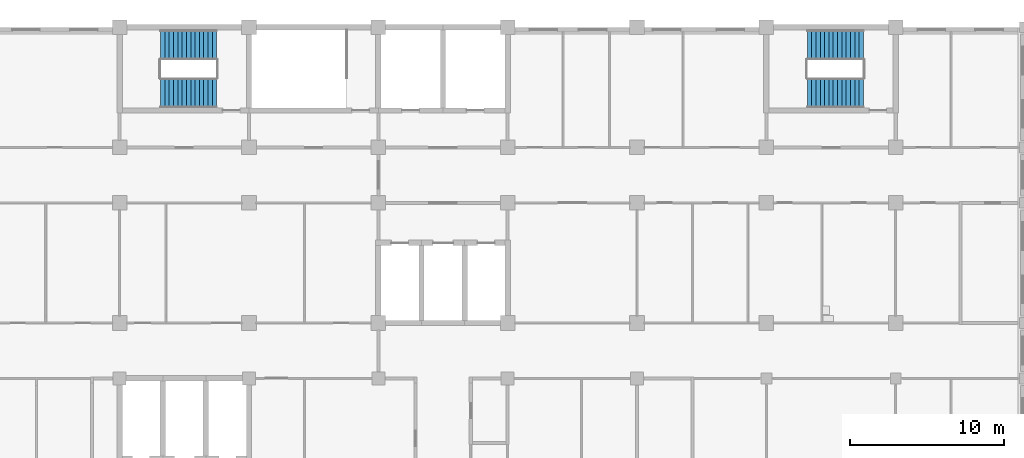
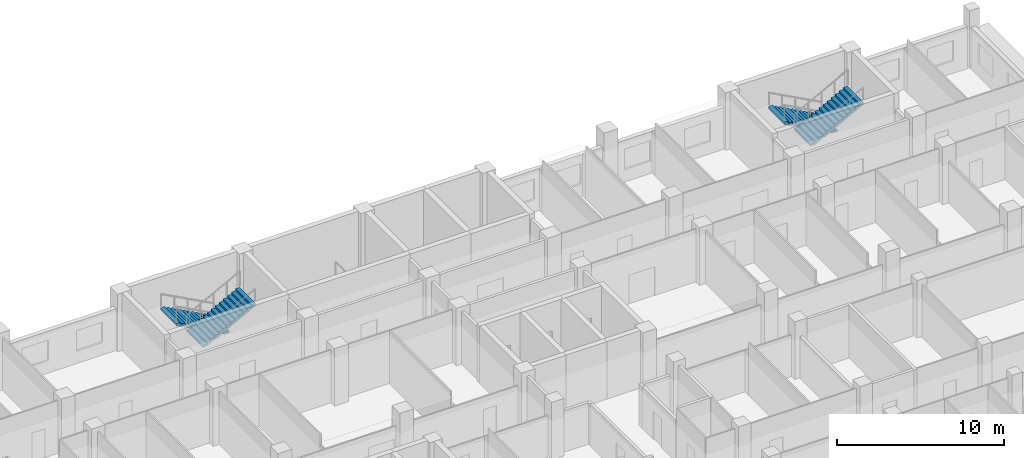
# One storey, part 79 of 109: 4 stair flights, 2 elements without a shape of their own.
"""IFC4 building model written with IfcOpenShell, lengths in metres."""

from ifc_helpers import new_model, si_unit, direction, frame, origin, place, context, subcontext, project, spatial, polyline, outline, extrude, material, type_object, element, aggregate, save


model = new_model("IFC4")

# Units and contexts
model_context = context("Model", 3, precision=1e-05, world=origin(), true_north=direction((0.0, 1.0)))
body_context = subcontext(model_context, "Body", "Model", "MODEL_VIEW")
ifc_project = project(units=[si_unit("LENGTHUNIT", "METRE"), si_unit("AREAUNIT", "SQUARE_METRE"), si_unit("VOLUMEUNIT", "CUBIC_METRE"), si_unit("PLANEANGLEUNIT", "RADIAN"), si_unit("MASSUNIT", "GRAM", prefix="KILO")], contexts=[model_context])

# Site, building, storey
site_placement = place(None, origin())
site = spatial("IfcSite", under=ifc_project, at=site_placement, CompositionType="ELEMENT")
building_placement = place(site_placement, origin())
building = spatial("IfcBuilding", under=site, at=building_placement, Name="Bougainvillea Quay General Hospital", CompositionType="ELEMENT")
storey_placement = place(building_placement, frame((0.0, 0.0, 12.60009765625)))
storey = spatial("IfcBuildingStorey", under=building, at=storey_placement, Name="L02", CompositionType="ELEMENT", Elevation=12.60009765625)

# Stair, stair flights
ifc_material = material(Name="Concrete C35", Category="concrete")
stair_type = type_object("IfcStairType", Name="Stair half-turn 1925 wide", PredefinedType="HALF_TURN_STAIR", material=ifc_material)
stair_1_placement = place(storey_placement, origin())
stair_1 = element("IfcStair", 1, at=stair_1_placement, inside=storey, type_object=stair_type, Name="L02 stair ST-A3", PredefinedType="HALF_TURN_STAIR")
stair_flight_type = type_object("IfcStairFlightType", Name="Stair flight 1925", PredefinedType="STRAIGHT", material=ifc_material)
stair_flight_1_placement = place(storey_placement, frame((140.699951171875, 158.46240234375, 0.0), z_axis=(0.0, 0.0, 1.0), x_axis=(-1.0, 0.0, 0.0)))
stair_flight_1 = element("IfcStairFlight", 2, at=stair_flight_1_placement, type_object=stair_flight_type, Name="ST-A3 flight 1", NumberOfRisers=14, NumberOfTreads=13, PredefinedType="STRAIGHT", RiserHeight=0.15, TreadLength=0.28, context=body_context, shape_type="SweptSolid", body=[
    extrude(outline(polyline([(-0.0029296875, 0.0), (-0.0029296875, 0.003662109375), (-0.0029296875, 0.00732421875), (-0.0029296875, 0.010986328125), (-0.0029296875, 0.0146484375), (-0.0029296875, 0.018310546875), (-0.0029296875, 0.02197265625), (-0.0029296875, 0.025634765625), (-0.0029296875, 0.029296875), (-0.0029296875, 0.032958984375), (-0.0029296875, 0.03662109375), (-0.0029296875, 0.040283203125), (-0.0029296875, 0.0439453125), (-0.0029296875, 0.047607421875), (-0.0029296875, 0.05126953125), (-0.0029296875, 0.054931640625), (-0.0029296875, 0.05859375), (-0.0029296875, 0.062255859375), (-0.0029296875, 0.06591796875), (-0.0029296875, 0.069580078125), (-0.0029296875, 0.0732421875), (-0.0029296875, 0.076904296875), (-0.0029296875, 0.08056640625), (-0.0029296875, 0.084228515625), (-0.0029296875, 0.087890625), (-0.0029296875, 0.091552734375), (-0.0029296875, 0.09521484375), (-0.0029296875, 0.098876953125), (-0.0029296875, 0.1025390625), (-0.0029296875, 0.106201171875), (-0.0029296875, 0.10986328125), (-0.0029296875, 0.113525390625), (-0.0029296875, 0.1171875), (-0.0029296875, 0.120849609375), (-0.0029296875, 0.12451171875), (-0.0029296875, 0.1279296875), (-0.0029296875, 0.131591796875), (-0.0029296875, 0.13525390625), (-0.0029296875, 0.138916015625), (-0.0029296875, 0.142578125), (-0.0029296875, 0.146240234375), (-0.0029296875, 0.14990234375), (0.280029296875, 0.14990234375), (0.280029296875, 0.300048828125), (0.56005859375, 0.300048828125), (0.56005859375, 0.449951171875), (0.840087890625, 0.449951171875), (0.840087890625, 0.60009765625), (1.1201171875, 0.60009765625), (1.1201171875, 0.75), (1.39990234375, 0.75), (1.39990234375, 0.89990234375), (1.679931640625, 0.89990234375), (1.679931640625, 1.050048828125), (1.9599609375, 1.050048828125), (1.9599609375, 1.199951171875), (2.239990234375, 1.199951171875), (2.239990234375, 1.35009765625), (2.52001953125, 1.35009765625), (2.52001953125, 1.5), (2.800048828125, 1.5), (2.800048828125, 1.64990234375), (3.080078125, 1.64990234375), (3.080078125, 1.800048828125), (3.360107421875, 1.800048828125), (3.360107421875, 1.949951171875), (3.64306640625, 1.949951171875), (3.64306640625, 1.94580078125), (3.64306640625, 1.941650390625), (3.64306640625, 1.9375), (3.64306640625, 1.933349609375), (3.64306640625, 1.92919921875), (3.64306640625, 1.925048828125), (3.64306640625, 1.9208984375), (3.64306640625, 1.916748046875), (3.64306640625, 1.91259765625), (3.64306640625, 1.908447265625), (3.64306640625, 1.904296875), (3.64306640625, 1.900146484375), (3.64306640625, 1.89599609375), (3.64306640625, 1.891845703125), (3.64306640625, 1.8876953125), (3.64306640625, 1.883544921875), (3.64306640625, 1.87939453125), (3.64306640625, 1.875244140625), (3.64306640625, 1.87109375), (3.64306640625, 1.866943359375), (3.64306640625, 1.86279296875), (3.64306640625, 1.858642578125), (3.64306640625, 1.8544921875), (3.64306640625, 1.850341796875), (3.64306640625, 1.84619140625), (3.64306640625, 1.842041015625), (3.64306640625, 1.837890625), (3.64306640625, 1.833984375), (3.64306640625, 1.829833984375), (3.64306640625, 1.82568359375), (3.64306640625, 1.821533203125), (3.64306640625, 1.8173828125), (3.64306640625, 1.813232421875), (3.64306640625, 1.80908203125), (3.64306640625, 1.804931640625), (3.64306640625, 1.80078125), (3.64306640625, 1.796630859375), (3.64306640625, 1.79248046875), (3.64306640625, 1.788330078125), (3.64306640625, 1.7841796875), (3.64306640625, 1.780029296875), (0.3173828125, 0.0), (-0.0029296875, 0.0)])), frame((0.0, 0.96240234375, 0.0), z_axis=(0.0, -1.0, 0.0), x_axis=(1.0, 0.0, 0.0)), (0.0, 0.0, 1.0), 1.925048828125),
])
stair_flight_2_placement = place(storey_placement, frame((137.06005859375, 155.33740234375, 2.099853515625), z_axis=(0.0, 0.0, 1.0), x_axis=(1.0, 0.0, 0.0)))
stair_flight_2 = element("IfcStairFlight", 3, at=stair_flight_2_placement, type_object=stair_flight_type, Name="ST-A3 flight 2", NumberOfRisers=14, NumberOfTreads=13, PredefinedType="STRAIGHT", RiserHeight=0.15, TreadLength=0.28, context=body_context, shape_type="SweptSolid", body=[
    extrude(outline(polyline([(-0.0029296875, 0.0), (-0.0029296875, 0.003662109375), (-0.0029296875, 0.00732421875), (-0.0029296875, 0.010986328125), (-0.0029296875, 0.0146484375), (-0.0029296875, 0.018310546875), (-0.0029296875, 0.02197265625), (-0.0029296875, 0.025634765625), (-0.0029296875, 0.029296875), (-0.0029296875, 0.032958984375), (-0.0029296875, 0.03662109375), (-0.0029296875, 0.040283203125), (-0.0029296875, 0.0439453125), (-0.0029296875, 0.047607421875), (-0.0029296875, 0.05126953125), (-0.0029296875, 0.054931640625), (-0.0029296875, 0.05859375), (-0.0029296875, 0.062255859375), (-0.0029296875, 0.06591796875), (-0.0029296875, 0.069580078125), (-0.0029296875, 0.0732421875), (-0.0029296875, 0.076904296875), (-0.0029296875, 0.08056640625), (-0.0029296875, 0.084228515625), (-0.0029296875, 0.087890625), (-0.0029296875, 0.091552734375), (-0.0029296875, 0.09521484375), (-0.0029296875, 0.098876953125), (-0.0029296875, 0.1025390625), (-0.0029296875, 0.106201171875), (-0.0029296875, 0.10986328125), (-0.0029296875, 0.113525390625), (-0.0029296875, 0.1171875), (-0.0029296875, 0.120849609375), (-0.0029296875, 0.12451171875), (-0.0029296875, 0.1279296875), (-0.0029296875, 0.131591796875), (-0.0029296875, 0.13525390625), (-0.0029296875, 0.138916015625), (-0.0029296875, 0.142578125), (-0.0029296875, 0.146240234375), (-0.0029296875, 0.14990234375), (0.280029296875, 0.14990234375), (0.280029296875, 0.300048828125), (0.56005859375, 0.300048828125), (0.56005859375, 0.449951171875), (0.840087890625, 0.449951171875), (0.840087890625, 0.60009765625), (1.1201171875, 0.60009765625), (1.1201171875, 0.75), (1.39990234375, 0.75), (1.39990234375, 0.89990234375), (1.679931640625, 0.89990234375), (1.679931640625, 1.050048828125), (1.9599609375, 1.050048828125), (1.9599609375, 1.199951171875), (2.239990234375, 1.199951171875), (2.239990234375, 1.35009765625), (2.52001953125, 1.35009765625), (2.52001953125, 1.5), (2.800048828125, 1.5), (2.800048828125, 1.64990234375), (3.080078125, 1.64990234375), (3.080078125, 1.800048828125), (3.360107421875, 1.800048828125), (3.360107421875, 1.949951171875), (3.64306640625, 1.949951171875), (3.64306640625, 1.94580078125), (3.64306640625, 1.941650390625), (3.64306640625, 1.9375), (3.64306640625, 1.933349609375), (3.64306640625, 1.92919921875), (3.64306640625, 1.925048828125), (3.64306640625, 1.9208984375), (3.64306640625, 1.916748046875), (3.64306640625, 1.91259765625), (3.64306640625, 1.908447265625), (3.64306640625, 1.904296875), (3.64306640625, 1.900146484375), (3.64306640625, 1.89599609375), (3.64306640625, 1.891845703125), (3.64306640625, 1.8876953125), (3.64306640625, 1.883544921875), (3.64306640625, 1.87939453125), (3.64306640625, 1.875244140625), (3.64306640625, 1.87109375), (3.64306640625, 1.866943359375), (3.64306640625, 1.86279296875), (3.64306640625, 1.858642578125), (3.64306640625, 1.8544921875), (3.64306640625, 1.850341796875), (3.64306640625, 1.84619140625), (3.64306640625, 1.842041015625), (3.64306640625, 1.837890625), (3.64306640625, 1.833984375), (3.64306640625, 1.829833984375), (3.64306640625, 1.82568359375), (3.64306640625, 1.821533203125), (3.64306640625, 1.8173828125), (3.64306640625, 1.813232421875), (3.64306640625, 1.80908203125), (3.64306640625, 1.804931640625), (3.64306640625, 1.80078125), (3.64306640625, 1.796630859375), (3.64306640625, 1.79248046875), (3.64306640625, 1.788330078125), (3.64306640625, 1.7841796875), (3.64306640625, 1.780029296875), (0.3173828125, 0.0), (-0.0029296875, 0.0)])), frame((0.0, 0.96240234375, 0.0), z_axis=(0.0, -1.0, 0.0), x_axis=(1.0, 0.0, 0.0)), (0.0, 0.0, 1.0), 1.925048828125),
])
aggregate(stair_1, [stair_flight_1, stair_flight_2])

stair_2_placement = place(storey_placement, origin())
stair_2 = element("IfcStair", 4, at=stair_2_placement, inside=storey, type_object=stair_type, Name="L02 stair ST-A4", PredefinedType="HALF_TURN_STAIR")
stair_flight_3_placement = place(storey_placement, frame((182.699951171875, 158.46240234375, 0.0), z_axis=(0.0, 0.0, 1.0), x_axis=(-1.0, 0.0, 0.0)))
stair_flight_3 = element("IfcStairFlight", 5, at=stair_flight_3_placement, type_object=stair_flight_type, Name="ST-A4 flight 1", NumberOfRisers=14, NumberOfTreads=13, PredefinedType="STRAIGHT", RiserHeight=0.15, TreadLength=0.28, context=body_context, shape_type="SweptSolid", body=[
    extrude(outline(polyline([(-0.0029296875, 0.0), (-0.0029296875, 0.003662109375), (-0.0029296875, 0.00732421875), (-0.0029296875, 0.010986328125), (-0.0029296875, 0.0146484375), (-0.0029296875, 0.018310546875), (-0.0029296875, 0.02197265625), (-0.0029296875, 0.025634765625), (-0.0029296875, 0.029296875), (-0.0029296875, 0.032958984375), (-0.0029296875, 0.03662109375), (-0.0029296875, 0.040283203125), (-0.0029296875, 0.0439453125), (-0.0029296875, 0.047607421875), (-0.0029296875, 0.05126953125), (-0.0029296875, 0.054931640625), (-0.0029296875, 0.05859375), (-0.0029296875, 0.062255859375), (-0.0029296875, 0.06591796875), (-0.0029296875, 0.069580078125), (-0.0029296875, 0.0732421875), (-0.0029296875, 0.076904296875), (-0.0029296875, 0.08056640625), (-0.0029296875, 0.084228515625), (-0.0029296875, 0.087890625), (-0.0029296875, 0.091552734375), (-0.0029296875, 0.09521484375), (-0.0029296875, 0.098876953125), (-0.0029296875, 0.1025390625), (-0.0029296875, 0.106201171875), (-0.0029296875, 0.10986328125), (-0.0029296875, 0.113525390625), (-0.0029296875, 0.1171875), (-0.0029296875, 0.120849609375), (-0.0029296875, 0.12451171875), (-0.0029296875, 0.1279296875), (-0.0029296875, 0.131591796875), (-0.0029296875, 0.13525390625), (-0.0029296875, 0.138916015625), (-0.0029296875, 0.142578125), (-0.0029296875, 0.146240234375), (-0.0029296875, 0.14990234375), (0.280029296875, 0.14990234375), (0.280029296875, 0.300048828125), (0.56005859375, 0.300048828125), (0.56005859375, 0.449951171875), (0.840087890625, 0.449951171875), (0.840087890625, 0.60009765625), (1.1201171875, 0.60009765625), (1.1201171875, 0.75), (1.39990234375, 0.75), (1.39990234375, 0.89990234375), (1.679931640625, 0.89990234375), (1.679931640625, 1.050048828125), (1.9599609375, 1.050048828125), (1.9599609375, 1.199951171875), (2.239990234375, 1.199951171875), (2.239990234375, 1.35009765625), (2.52001953125, 1.35009765625), (2.52001953125, 1.5), (2.800048828125, 1.5), (2.800048828125, 1.64990234375), (3.080078125, 1.64990234375), (3.080078125, 1.800048828125), (3.360107421875, 1.800048828125), (3.360107421875, 1.949951171875), (3.64306640625, 1.949951171875), (3.64306640625, 1.94580078125), (3.64306640625, 1.941650390625), (3.64306640625, 1.9375), (3.64306640625, 1.933349609375), (3.64306640625, 1.92919921875), (3.64306640625, 1.925048828125), (3.64306640625, 1.9208984375), (3.64306640625, 1.916748046875), (3.64306640625, 1.91259765625), (3.64306640625, 1.908447265625), (3.64306640625, 1.904296875), (3.64306640625, 1.900146484375), (3.64306640625, 1.89599609375), (3.64306640625, 1.891845703125), (3.64306640625, 1.8876953125), (3.64306640625, 1.883544921875), (3.64306640625, 1.87939453125), (3.64306640625, 1.875244140625), (3.64306640625, 1.87109375), (3.64306640625, 1.866943359375), (3.64306640625, 1.86279296875), (3.64306640625, 1.858642578125), (3.64306640625, 1.8544921875), (3.64306640625, 1.850341796875), (3.64306640625, 1.84619140625), (3.64306640625, 1.842041015625), (3.64306640625, 1.837890625), (3.64306640625, 1.833984375), (3.64306640625, 1.829833984375), (3.64306640625, 1.82568359375), (3.64306640625, 1.821533203125), (3.64306640625, 1.8173828125), (3.64306640625, 1.813232421875), (3.64306640625, 1.80908203125), (3.64306640625, 1.804931640625), (3.64306640625, 1.80078125), (3.64306640625, 1.796630859375), (3.64306640625, 1.79248046875), (3.64306640625, 1.788330078125), (3.64306640625, 1.7841796875), (3.64306640625, 1.780029296875), (0.3173828125, 0.0), (-0.0029296875, 0.0)])), frame((0.0, 0.96240234375, 0.0), z_axis=(0.0, -1.0, 0.0), x_axis=(1.0, 0.0, 0.0)), (0.0, 0.0, 1.0), 1.925048828125),
])
stair_flight_4_placement = place(storey_placement, frame((179.06005859375, 155.33740234375, 2.099853515625), z_axis=(0.0, 0.0, 1.0), x_axis=(1.0, 0.0, 0.0)))
stair_flight_4 = element("IfcStairFlight", 6, at=stair_flight_4_placement, type_object=stair_flight_type, Name="ST-A4 flight 2", NumberOfRisers=14, NumberOfTreads=13, PredefinedType="STRAIGHT", RiserHeight=0.15, TreadLength=0.28, context=body_context, shape_type="SweptSolid", body=[
    extrude(outline(polyline([(-0.0029296875, 0.0), (-0.0029296875, 0.003662109375), (-0.0029296875, 0.00732421875), (-0.0029296875, 0.010986328125), (-0.0029296875, 0.0146484375), (-0.0029296875, 0.018310546875), (-0.0029296875, 0.02197265625), (-0.0029296875, 0.025634765625), (-0.0029296875, 0.029296875), (-0.0029296875, 0.032958984375), (-0.0029296875, 0.03662109375), (-0.0029296875, 0.040283203125), (-0.0029296875, 0.0439453125), (-0.0029296875, 0.047607421875), (-0.0029296875, 0.05126953125), (-0.0029296875, 0.054931640625), (-0.0029296875, 0.05859375), (-0.0029296875, 0.062255859375), (-0.0029296875, 0.06591796875), (-0.0029296875, 0.069580078125), (-0.0029296875, 0.0732421875), (-0.0029296875, 0.076904296875), (-0.0029296875, 0.08056640625), (-0.0029296875, 0.084228515625), (-0.0029296875, 0.087890625), (-0.0029296875, 0.091552734375), (-0.0029296875, 0.09521484375), (-0.0029296875, 0.098876953125), (-0.0029296875, 0.1025390625), (-0.0029296875, 0.106201171875), (-0.0029296875, 0.10986328125), (-0.0029296875, 0.113525390625), (-0.0029296875, 0.1171875), (-0.0029296875, 0.120849609375), (-0.0029296875, 0.12451171875), (-0.0029296875, 0.1279296875), (-0.0029296875, 0.131591796875), (-0.0029296875, 0.13525390625), (-0.0029296875, 0.138916015625), (-0.0029296875, 0.142578125), (-0.0029296875, 0.146240234375), (-0.0029296875, 0.14990234375), (0.280029296875, 0.14990234375), (0.280029296875, 0.300048828125), (0.56005859375, 0.300048828125), (0.56005859375, 0.449951171875), (0.840087890625, 0.449951171875), (0.840087890625, 0.60009765625), (1.1201171875, 0.60009765625), (1.1201171875, 0.75), (1.39990234375, 0.75), (1.39990234375, 0.89990234375), (1.679931640625, 0.89990234375), (1.679931640625, 1.050048828125), (1.9599609375, 1.050048828125), (1.9599609375, 1.199951171875), (2.239990234375, 1.199951171875), (2.239990234375, 1.35009765625), (2.52001953125, 1.35009765625), (2.52001953125, 1.5), (2.800048828125, 1.5), (2.800048828125, 1.64990234375), (3.080078125, 1.64990234375), (3.080078125, 1.800048828125), (3.360107421875, 1.800048828125), (3.360107421875, 1.949951171875), (3.64306640625, 1.949951171875), (3.64306640625, 1.94580078125), (3.64306640625, 1.941650390625), (3.64306640625, 1.9375), (3.64306640625, 1.933349609375), (3.64306640625, 1.92919921875), (3.64306640625, 1.925048828125), (3.64306640625, 1.9208984375), (3.64306640625, 1.916748046875), (3.64306640625, 1.91259765625), (3.64306640625, 1.908447265625), (3.64306640625, 1.904296875), (3.64306640625, 1.900146484375), (3.64306640625, 1.89599609375), (3.64306640625, 1.891845703125), (3.64306640625, 1.8876953125), (3.64306640625, 1.883544921875), (3.64306640625, 1.87939453125), (3.64306640625, 1.875244140625), (3.64306640625, 1.87109375), (3.64306640625, 1.866943359375), (3.64306640625, 1.86279296875), (3.64306640625, 1.858642578125), (3.64306640625, 1.8544921875), (3.64306640625, 1.850341796875), (3.64306640625, 1.84619140625), (3.64306640625, 1.842041015625), (3.64306640625, 1.837890625), (3.64306640625, 1.833984375), (3.64306640625, 1.829833984375), (3.64306640625, 1.82568359375), (3.64306640625, 1.821533203125), (3.64306640625, 1.8173828125), (3.64306640625, 1.813232421875), (3.64306640625, 1.80908203125), (3.64306640625, 1.804931640625), (3.64306640625, 1.80078125), (3.64306640625, 1.796630859375), (3.64306640625, 1.79248046875), (3.64306640625, 1.788330078125), (3.64306640625, 1.7841796875), (3.64306640625, 1.780029296875), (0.3173828125, 0.0), (-0.0029296875, 0.0)])), frame((0.0, 0.96240234375, 0.0), z_axis=(0.0, -1.0, 0.0), x_axis=(1.0, 0.0, 0.0)), (0.0, 0.0, 1.0), 1.925048828125),
])
aggregate(stair_2, [stair_flight_3, stair_flight_4])

save(model, "model.ifc")
